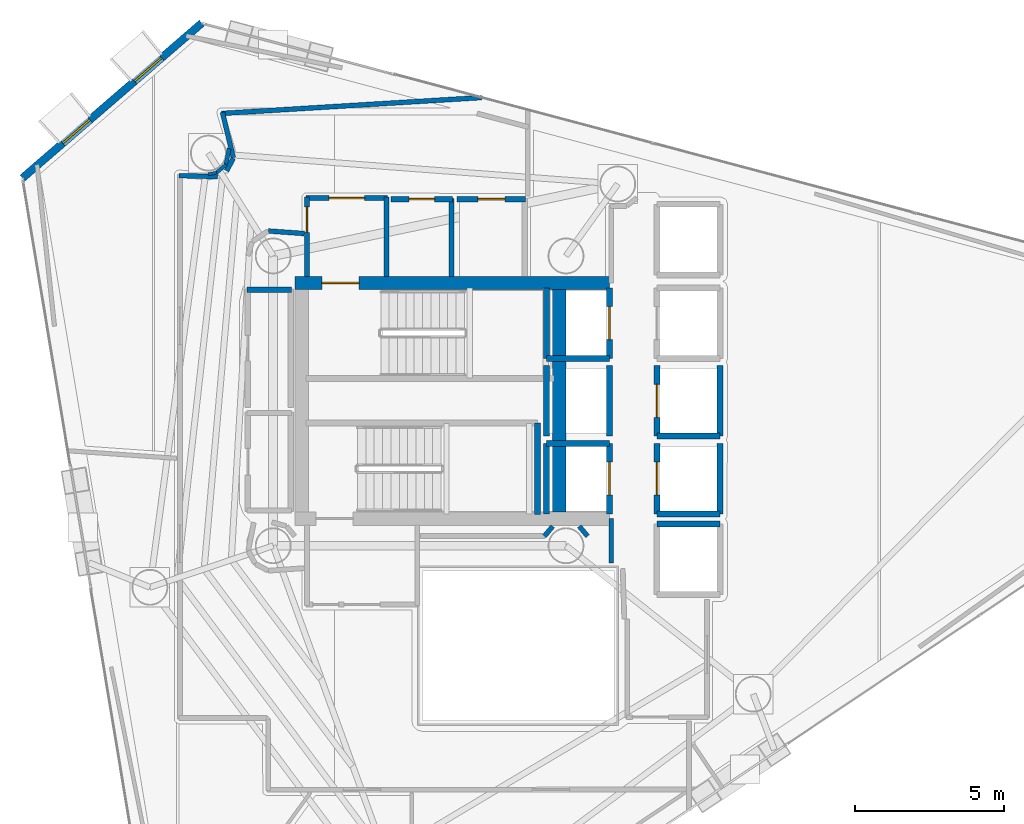
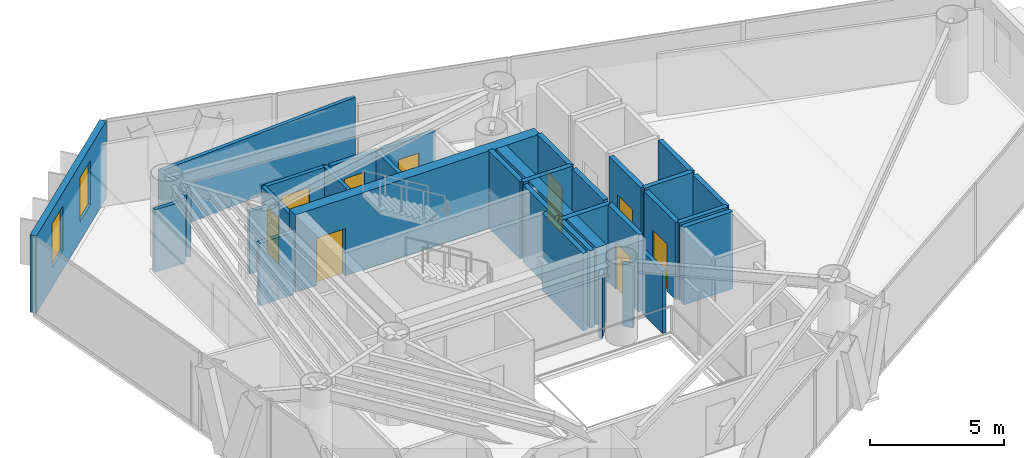
# One storey, part 17 of 21: 37 walls, 9 doors, 2 windows, 11 openings.
"""IFC4 building model written with IfcOpenShell, lengths in metres."""

from ifc_helpers import new_model, si_unit, direction, frame, frame_2d, origin, place, context, subcontext, project, spatial, rectangle, extrude, material, layer, layer_set, type_object, element, fill, save


model = new_model("IFC4")

# Units and contexts
model_context = context("Model", 3, precision=1e-05, world=origin(), true_north=direction((0.0, 1.0)))
body_context = subcontext(model_context, "Body", "Model", "MODEL_VIEW")
ifc_project = project(units=[si_unit("LENGTHUNIT", "METRE"), si_unit("AREAUNIT", "SQUARE_METRE"), si_unit("VOLUMEUNIT", "CUBIC_METRE"), si_unit("PLANEANGLEUNIT", "RADIAN"), si_unit("MASSUNIT", "GRAM", prefix="KILO")], contexts=[model_context])

# Site, building, storey
site_placement = place(None, origin())
site = spatial("IfcSite", under=ifc_project, at=site_placement, CompositionType="ELEMENT")
building_placement = place(site_placement, origin())
building = spatial("IfcBuilding", under=site, at=building_placement, Name="Qianvela Tower", CompositionType="ELEMENT")
storey_placement = place(building_placement, frame((0.0, 0.0, 189.199951171875)))
storey = spatial("IfcBuildingStorey", under=building, at=storey_placement, Name="L48", CompositionType="ELEMENT", Elevation=189.199951171875)

# Wall, openings, windows
ifc_material_1 = material(Name="Terracotta Cladding on Concrete C40", Category="masonry")
ifc_layer_1 = layer(ifc_material_1, 0.260009765625)
ifc_layer_set_1 = layer_set([ifc_layer_1], Name="Terracotta Cladding on Concrete C40")
wall_type_1 = type_object("IfcWallType", Name="TERRACOTTA-WALL-260", PredefinedType="SOLIDWALL", material=ifc_layer_set_1)
wall_1_placement = place(storey_placement, frame((26.2099609375, 41.344970703125, 0.0), z_axis=(0.0, 0.0, 1.0), x_axis=(-0.756696991228, -0.653765755808, 0.0)))
wall_1 = element("IfcWall", 1, at=wall_1_placement, inside=storey, type_object=wall_type_1, Name="L48 Terracotta Chamfer Facet Wall 3", PredefinedType="SOLIDWALL", context=body_context, shape_type="SweptSolid", body=[
    extrude(rectangle(XDim=7.92919921875, YDim=0.260009765625, at=frame_2d((3.964599609375, 0.0))), origin(), (0.0, 0.0, 1.0), 3.52001953125),
])
opening_1_placement = place(wall_1_placement, frame((1.77880859375, 0.0, 0.89990234375)))
opening_1 = element("IfcOpeningElement", 2, at=opening_1_placement, cuts=wall_1, Name="Opening W-03", PredefinedType="OPENING", context=body_context, shape_type="SweptSolid", body=[
    extrude(rectangle(XDim=1.199951171875, YDim=2.0, at=frame_2d((0.60009765625, 1.0))), frame((0.0, 0.139892578125, 0.0), z_axis=(0.0, -1.0, 0.0), x_axis=(1.0, 0.0, 0.0)), (0.0, 0.0, 1.0), 0.280029296875),
])
opening_2_placement = place(wall_1_placement, frame((4.950439453125, 0.0, 0.89990234375)))
opening_2 = element("IfcOpeningElement", 3, at=opening_2_placement, cuts=wall_1, Name="Opening W-03", PredefinedType="OPENING", context=body_context, shape_type="SweptSolid", body=[
    extrude(rectangle(XDim=1.199951171875, YDim=2.0, at=frame_2d((0.60009765625, 1.0))), frame((0.0, 0.139892578125, 0.0), z_axis=(0.0, -1.0, 0.0), x_axis=(1.0, 0.0, 0.0)), (0.0, 0.0, 1.0), 0.280029296875),
])
ifc_material_2 = material(Name="Thermally Broken Aluminium and Low-E Glass", Category="aluminium")
window_type = type_object("IfcWindowType", Name="WIN-TC-1200x2000", PartitioningType="SINGLE_PANEL", PredefinedType="WINDOW", material=ifc_material_2)
window_1_placement = place(opening_1_placement, origin())
window_1 = element("IfcWindow", 4, at=window_1_placement, inside=storey, type_object=window_type, Name="L48 Chamfer Facet Window 3.1", OverallHeight=2.0, OverallWidth=1.199951171875, PartitioningType="SINGLE_PANEL", PredefinedType="WINDOW", context=body_context, shape_type="SweptSolid", body=[
    extrude(rectangle(XDim=1.199951171875, YDim=2.0, at=frame_2d((0.60009765625, 1.0))), frame((0.0, 0.030029296875, 0.0), z_axis=(0.0, -1.0, 0.0), x_axis=(1.0, 0.0, 0.0)), (0.0, 0.0, 1.0), 0.06005859375),
])
fill(opening_1, window_1)
window_2_placement = place(opening_2_placement, origin())
window_2 = element("IfcWindow", 5, at=window_2_placement, inside=storey, type_object=window_type, Name="L48 Chamfer Facet Window 3.2", OverallHeight=2.0, OverallWidth=1.199951171875, PartitioningType="SINGLE_PANEL", PredefinedType="WINDOW", context=body_context, shape_type="SweptSolid", body=[
    extrude(rectangle(XDim=1.199951171875, YDim=2.0, at=frame_2d((0.60009765625, 1.0))), frame((0.0, 0.030029296875, 0.0), z_axis=(0.0, -1.0, 0.0), x_axis=(1.0, 0.0, 0.0)), (0.0, 0.0, 1.0), 0.06005859375),
])
fill(opening_2, window_2)

# Wall, opening, door
ifc_material_3 = material(Name="Concrete C50", Category="concrete")
ifc_layer_2 = layer(ifc_material_3, 0.449951171875)
ifc_layer_set_2 = layer_set([ifc_layer_2], Name="Concrete C50")
wall_type_2 = type_object("IfcWallType", Name="WT-CORE-450", PredefinedType="SHEAR", material=ifc_layer_set_2)
wall_2_placement = place(storey_placement, frame((29.330078125, 32.64501953125, 0.0), z_axis=(0.0, 0.0, 1.0), x_axis=(1.0, 0.0, 0.0)))
wall_2 = element("IfcWall", 6, at=wall_2_placement, inside=storey, type_object=wall_type_2, Name="L48 North Core Shear Wall", PredefinedType="SHEAR", context=body_context, shape_type="SweptSolid", body=[
    extrude(rectangle(XDim=10.52001953125, YDim=0.449951171875, at=frame_2d((5.260009765625, 0.0))), origin(), (0.0, 0.0, 1.0), 3.52001953125),
])
opening_3_placement = place(wall_2_placement, frame((0.89501953125, 0.0, 0.0)))
opening_3 = element("IfcOpeningElement", 7, at=opening_3_placement, cuts=wall_2, Name="Opening D-ST1", PredefinedType="OPENING", context=body_context, shape_type="SweptSolid", body=[
    extrude(rectangle(XDim=1.25, YDim=2.14990234375, at=frame_2d((0.625, 1.074951171875))), frame((0.0, 0.23486328125, 0.0), z_axis=(0.0, -1.0, 0.0), x_axis=(1.0, 0.0, 0.0)), (0.0, 0.0, 1.0), 0.469970703125),
])
ifc_material_4 = material(Name="Galvanised Fire Steel Q355B", Category="steel")
door_type_1 = type_object("IfcDoorType", Name="DT-STAIR-FD90", OperationType="NOTDEFINED", PredefinedType="DOOR", material=ifc_material_4)
door_1_placement = place(opening_3_placement, origin())
door_1 = element("IfcDoor", 8, at=door_1_placement, inside=storey, type_object=door_type_1, Name="L48 Stair ST-1 Exit Door", OperationType="SINGLE_SWING_RIGHT", OverallHeight=2.14990234375, OverallWidth=1.25, PredefinedType="DOOR", context=body_context, shape_type="SweptSolid", body=[
    extrude(rectangle(XDim=1.25, YDim=2.14990234375, at=frame_2d((0.625, 1.074951171875))), frame((0.0, 0.02490234375, 0.0), z_axis=(0.0, -1.0, 0.0), x_axis=(1.0, 0.0, 0.0)), (0.0, 0.0, 1.0), 0.050048828125),
])
fill(opening_3, door_1)

# Wall
wall_3_placement = place(storey_placement, frame((38.179931640625, 24.97998046875, 0.0), z_axis=(0.0, 0.0, 1.0), x_axis=(0.0, 1.0, 0.0)))
element("IfcWall", 9, at=wall_3_placement, inside=storey, type_object=wall_type_2, Name="L48 East Spine Core Shear Wall", PredefinedType="SHEAR", context=body_context, shape_type="SweptSolid", body=[
    extrude(rectangle(XDim=7.43994140625, YDim=0.449951171875, at=frame_2d((3.719970703125, 0.0))), origin(), (0.0, 0.0, 1.0), 3.52001953125),
])

# Wall, opening, door
ifc_material_5 = material(Name="Fire-Rated Gypsum and Concrete Block", Category="concrete")
ifc_layer_3 = layer(ifc_material_5, 0.159912109375)
ifc_layer_set_3 = layer_set([ifc_layer_3], Name="Fire-Rated Gypsum and Concrete Block")
wall_type_3 = type_object("IfcWallType", Name="WT-CORR-160", PredefinedType="PARTITIONING", material=ifc_layer_set_3)
wall_4_placement = place(storey_placement, frame((29.73095703125, 32.85791015625, 0.0), z_axis=(0.0, 0.0, 1.0), x_axis=(0.0, 1.0, 0.0)))
wall_4 = element("IfcWall", 10, at=wall_4_placement, inside=storey, type_object=wall_type_3, Name="L48 Partition 2", PredefinedType="PARTITIONING", context=body_context, shape_type="SweptSolid", body=[
    extrude(rectangle(XDim=2.662109375, YDim=0.159912109375, at=frame_2d((1.3310546875, 0.0))), origin(), (0.0, 0.0, 1.0), 2.840087890625),
])
opening_4_placement = place(wall_4_placement, frame((1.478271484375, 0.0, 0.0)))
opening_4 = element("IfcOpeningElement", 11, at=opening_4_placement, cuts=wall_4, Name="Opening D-LB2", PredefinedType="OPENING", context=body_context, shape_type="SweptSolid", body=[
    extrude(rectangle(XDim=0.860107421875, YDim=2.050048828125, at=frame_2d((0.43017578125, 1.02490234375))), frame((0.0, 0.08984375, 0.0), z_axis=(0.0, -1.0, 0.0), x_axis=(1.0, 0.0, 0.0)), (0.0, 0.0, 1.0), 0.179931640625),
])
ifc_material_6 = material(Name="Insulated Steel Fire Door Q355B", Category="steel")
door_type_2 = type_object("IfcDoorType", Name="DT-LOBBY-FD90-860", OperationType="NOTDEFINED", PredefinedType="DOOR", material=ifc_material_6)
door_2_placement = place(opening_4_placement, origin())
door_2 = element("IfcDoor", 12, at=door_2_placement, inside=storey, type_object=door_type_2, Name="L48 Door L48 Firefighting Lobby North to L48 Floor Corridor", OperationType="SINGLE_SWING_RIGHT", OverallHeight=2.050048828125, OverallWidth=0.860107421875, PredefinedType="DOOR", context=body_context, shape_type="SweptSolid", body=[
    extrude(rectangle(XDim=0.860107421875, YDim=2.050048828125, at=frame_2d((0.43017578125, 1.02490234375))), frame((0.0, 0.02490234375, 0.0), z_axis=(0.0, -1.0, 0.0), x_axis=(1.0, 0.0, 0.0)), (0.0, 0.0, 1.0), 0.050048828125),
])
fill(opening_4, door_2)

wall_5_placement = place(storey_placement, frame((29.699951171875, 35.489013671875, 0.0), z_axis=(0.0, 0.0, 1.0), x_axis=(1.0, 0.0, 0.0)))
wall_5 = element("IfcWall", 13, at=wall_5_placement, inside=storey, type_object=wall_type_3, Name="L48 Partition 3", PredefinedType="PARTITIONING", context=body_context, shape_type="SweptSolid", body=[
    extrude(rectangle(XDim=2.719970703125, YDim=0.159912109375, at=frame_2d((1.35986328125, 0.0))), origin(), (0.0, 0.0, 1.0), 2.840087890625),
])
opening_5_placement = place(wall_5_placement, frame((0.760009765625, 0.0, 0.0)))
opening_5 = element("IfcOpeningElement", 14, at=opening_5_placement, cuts=wall_5, Name="Opening D-LB1", PredefinedType="OPENING", context=body_context, shape_type="SweptSolid", body=[
    extrude(rectangle(XDim=1.199951171875, YDim=2.14990234375, at=frame_2d((0.60009765625, 1.074951171875))), frame((0.0, 0.08984375, 0.0), z_axis=(0.0, -1.0, 0.0), x_axis=(1.0, 0.0, 0.0)), (0.0, 0.0, 1.0), 0.179931640625),
])
ifc_material_7 = material(Name="Glazed Fire-Rated Steel Frame", Category="steel")
door_type_3 = type_object("IfcDoorType", Name="DT-LOBBY-FD90", OperationType="NOTDEFINED", PredefinedType="DOOR", material=ifc_material_7)
door_3_placement = place(opening_5_placement, origin())
door_3 = element("IfcDoor", 15, at=door_3_placement, inside=storey, type_object=door_type_3, Name="L48 Door L48 Firefighting Lobby North to L48 Floor Corridor", OperationType="SINGLE_SWING_RIGHT", OverallHeight=2.14990234375, OverallWidth=1.199951171875, PredefinedType="DOOR", context=body_context, shape_type="SweptSolid", body=[
    extrude(rectangle(XDim=1.199951171875, YDim=2.14990234375, at=frame_2d((0.60009765625, 1.074951171875))), frame((0.0, 0.02490234375, 0.0), z_axis=(0.0, -1.0, 0.0), x_axis=(1.0, 0.0, 0.0)), (0.0, 0.0, 1.0), 0.050048828125),
])
fill(opening_5, door_3)

# Walls
wall_6_placement = place(storey_placement, frame((32.388916015625, 35.52001953125, 0.0), z_axis=(0.0, 0.0, 1.0), x_axis=(0.0, -1.0, 0.0)))
element("IfcWall", 16, at=wall_6_placement, inside=storey, type_object=wall_type_3, Name="L48 Partition 4", PredefinedType="PARTITIONING", context=body_context, shape_type="SweptSolid", body=[
    extrude(rectangle(XDim=2.662109375, YDim=0.159912109375, at=frame_2d((1.3310546875, 0.0))), origin(), (0.0, 0.0, 1.0), 2.840087890625),
])
wall_7_placement = place(storey_placement, frame((39.910888671875, 23.280029296875, 0.0), z_axis=(0.0, 0.0, 1.0), x_axis=(0.0, 1.0, 0.0)))
element("IfcWall", 17, at=wall_7_placement, inside=storey, type_object=wall_type_3, Name="L48 Partition 10", PredefinedType="PARTITIONING", context=body_context, shape_type="SweptSolid", body=[
    extrude(rectangle(XDim=1.47998046875, YDim=0.159912109375, at=frame_2d((0.739990234375, 0.0))), origin(), (0.0, 0.0, 1.0), 2.840087890625),
])
for number, where, z_axis, x_axis, name in (
    (18, (39.12109375, 24.169921875, 0.0), (0.0, 0.0, 1.0), (-0.638008265708, 0.770029514296, 0.0), "L48 Partition 49"),
    (19, (37.953857421875, 24.501708984375, 0.0), (0.0, 0.0, 1.0), (-0.638008265708, -0.770029514296, 0.0), "L48 Partition 52"),
):
    element("IfcWall", number, at=place(storey_placement, frame(where, z_axis=z_axis, x_axis=x_axis)), inside=storey, type_object=wall_type_3, Name=name, PredefinedType="PARTITIONING", context=body_context, shape_type="SweptSolid", body=[
        extrude(rectangle(XDim=0.430908203125, YDim=0.159912109375, at=frame_2d((0.21533203125, 0.0))), origin(), (0.0, 0.0, 1.0), 2.840087890625),
    ])
wall_8_placement = place(storey_placement, frame((27.265380859375, 36.839111328125, 0.0), z_axis=(0.0, 0.0, 1.0), x_axis=(-0.232734022169, 0.972540423286, 0.0)))
element("IfcWall", 20, at=wall_8_placement, inside=storey, type_object=wall_type_3, Name="L48 Partition 54", PredefinedType="PARTITIONING", context=body_context, shape_type="SweptSolid", body=[
    extrude(rectangle(XDim=1.56103515625, YDim=0.159912109375, at=frame_2d((0.780517578125, 0.0))), origin(), (0.0, 0.0, 1.0), 2.840087890625),
])
wall_9_placement = place(storey_placement, frame((26.871826171875, 38.319091796875, 0.0), z_axis=(0.0, 0.0, 1.0), x_axis=(0.99814279394, 0.060917673182, 0.0)))
element("IfcWall", 21, at=wall_9_placement, inside=storey, type_object=wall_type_3, Name="L48 Partition 55", PredefinedType="PARTITIONING", context=body_context, shape_type="SweptSolid", body=[
    extrude(rectangle(XDim=8.720703125, YDim=0.159912109375, at=frame_2d((4.3603515625, 0.0))), origin(), (0.0, 0.0, 1.0), 2.840087890625),
])
wall_10_placement = place(storey_placement, frame((29.64013671875, 34.298583984375, 0.0), z_axis=(0.0, 0.0, 1.0), x_axis=(-0.997392224386, 0.072171675429, 0.0)))
element("IfcWall", 22, at=wall_10_placement, inside=storey, type_object=wall_type_3, Name="L48 Partition 60", PredefinedType="PARTITIONING", context=body_context, shape_type="SweptSolid", body=[
    extrude(rectangle(XDim=1.200927734375, YDim=0.159912109375, at=frame_2d((0.6005859375, 0.0))), origin(), (0.0, 0.0, 1.0), 2.840087890625),
])
wall_11_placement = place(storey_placement, frame((25.44921875, 36.237548828125, 0.0), z_axis=(0.0, 0.0, 1.0), x_axis=(0.999651698073, -0.026390955635, 0.0)))
element("IfcWall", 23, at=wall_11_placement, inside=storey, type_object=wall_type_3, Name="L48 Partition 78", PredefinedType="PARTITIONING", context=body_context, shape_type="SweptSolid", body=[
    extrude(rectangle(XDim=1.295166015625, YDim=0.159912109375, at=frame_2d((0.6474609375, 0.0))), origin(), (0.0, 0.0, 1.0), 2.840087890625),
])
wall_12_placement = place(storey_placement, frame((27.0380859375, 36.397705078125, 0.0), z_axis=(0.0, 0.0, 1.0), x_axis=(0.471865548338, 0.881670519123, 0.0)))
element("IfcWall", 24, at=wall_12_placement, inside=storey, type_object=wall_type_3, Name="L48 Partition 79", PredefinedType="PARTITIONING", context=body_context, shape_type="SweptSolid", body=[
    extrude(rectangle(XDim=0.47607421875, YDim=0.159912109375, at=frame_2d((0.238037109375, 0.0))), origin(), (0.0, 0.0, 1.0), 2.840087890625),
])
ifc_material_8 = material(Name="Lightweight Gypsum Room Partition")
ifc_layer_4 = layer(ifc_material_8, 0.10498046875)
ifc_layer_set_4 = layer_set([ifc_layer_4], Name="Lightweight Gypsum Room Partition")
wall_type_4 = type_object("IfcWallType", Name="WT-PART-105", PredefinedType="PARTITIONING", material=ifc_layer_set_4)
wall_13_placement = place(storey_placement, frame((26.70751953125, 36.340087890625, 0.0), z_axis=(0.0, 0.0, 1.0), x_axis=(-0.980868818587, -0.194669876261, 0.0)))
element("IfcWall", 25, at=wall_13_placement, inside=storey, type_object=wall_type_4, Name="L48 Partition 127", PredefinedType="PARTITIONING", context=body_context, shape_type="SweptSolid", body=[
    extrude(rectangle(XDim=0.292236328125, YDim=0.10498046875, at=frame_2d((0.14599609375, 0.0))), origin(), (0.0, 0.0, 1.0), 2.840087890625),
])
ifc_material_9 = material(Name="Insulated Gypsum Stud Partition")
ifc_layer_5 = layer(ifc_material_9, 0.1201171875)
ifc_layer_set_5 = layer_set([ifc_layer_5], Name="Insulated Gypsum Stud Partition")
wall_type_5 = type_object("IfcWallType", Name="WT-PART-120", PredefinedType="PARTITIONING", material=ifc_layer_set_5)
wall_14_placement = place(storey_placement, frame((27.02392578125, 36.60205078125, 0.0), z_axis=(0.0, 0.0, 1.0), x_axis=(-0.775745027902, -0.631046473475, 0.0)))
element("IfcWall", 26, at=wall_14_placement, inside=storey, type_object=wall_type_5, Name="L48 Partition 126", PredefinedType="PARTITIONING", context=body_context, shape_type="SweptSolid", body=[
    extrude(rectangle(XDim=0.42529296875, YDim=0.1201171875, at=frame_2d((0.212646484375, 0.0))), origin(), (0.0, 0.0, 1.0), 2.840087890625),
])

# Wall, opening, door
ifc_material_10 = material(Name="Moisture-Resistant Acoustic Plumbing Wall")
ifc_layer_6 = layer(ifc_material_10, 0.175048828125)
ifc_layer_set_6 = layer_set([ifc_layer_6], Name="Moisture-Resistant Acoustic Plumbing Wall")
wall_type_6 = type_object("IfcWallType", Name="WT-PLUMB-175", PredefinedType="PLUMBINGWALL", material=ifc_layer_set_6)
wall_15_placement = place(storey_placement, frame((32.550048828125, 35.448974609375, 0.0), z_axis=(0.0, 0.0, 1.0), x_axis=(1.0, 0.0, 0.0)))
wall_15 = element("IfcWall", 27, at=wall_15_placement, inside=storey, type_object=wall_type_6, Name="L48 Partition 22", PredefinedType="PLUMBINGWALL", context=body_context, shape_type="SweptSolid", body=[
    extrude(rectangle(XDim=2.050048828125, YDim=0.175048828125, at=frame_2d((1.02490234375, 0.0))), origin(), (0.0, 0.0, 1.0), 2.840087890625),
])
opening_6_placement = place(wall_15_placement, frame((0.594970703125, 0.0, 0.0)))
opening_6 = element("IfcOpeningElement", 28, at=opening_6_placement, cuts=wall_15, Name="Opening D-WC1", PredefinedType="OPENING", context=body_context, shape_type="SweptSolid", body=[
    extrude(rectangle(XDim=0.860107421875, YDim=2.050048828125, at=frame_2d((0.43017578125, 1.02490234375))), frame((0.0, 0.097412109375, 0.0), z_axis=(0.0, -1.0, 0.0), x_axis=(1.0, 0.0, 0.0)), (0.0, 0.0, 1.0), 0.195068359375),
])
ifc_material_11 = material(Name="Moisture-Sealed Acoustic Timber Door", Category="wood")
door_type_4 = type_object("IfcDoorType", Name="DT-WC-860", OperationType="NOTDEFINED", PredefinedType="DOOR", material=ifc_material_11)
door_4_placement = place(opening_6_placement, origin())
door_4 = element("IfcDoor", 29, at=door_4_placement, inside=storey, type_object=door_type_4, Name="L48 Door L48 Accessible WC to L48 Floor Corridor", OperationType="SINGLE_SWING_LEFT", OverallHeight=2.050048828125, OverallWidth=0.860107421875, PredefinedType="DOOR", context=body_context, shape_type="SweptSolid", body=[
    extrude(rectangle(XDim=0.860107421875, YDim=2.050048828125, at=frame_2d((0.43017578125, 1.02490234375))), frame((0.0, 0.02490234375, 0.0), z_axis=(0.0, -1.0, 0.0), x_axis=(1.0, 0.0, 0.0)), (0.0, 0.0, 1.0), 0.050048828125),
])
fill(opening_6, door_4)

# Wall
wall_16_placement = place(storey_placement, frame((34.569091796875, 35.47998046875, 0.0), z_axis=(0.0, 0.0, 1.0), x_axis=(0.0, -1.0, 0.0)))
element("IfcWall", 30, at=wall_16_placement, inside=storey, type_object=wall_type_6, Name="L48 Partition 23", PredefinedType="PLUMBINGWALL", context=body_context, shape_type="SweptSolid", body=[
    extrude(rectangle(XDim=2.6220703125, YDim=0.175048828125, at=frame_2d((1.31103515625, 0.0))), origin(), (0.0, 0.0, 1.0), 2.840087890625),
])

# Wall, opening, door
wall_17_placement = place(storey_placement, frame((34.75, 35.448974609375, 0.0), z_axis=(0.0, 0.0, 1.0), x_axis=(1.0, 0.0, 0.0)))
wall_17 = element("IfcWall", 31, at=wall_17_placement, inside=storey, type_object=wall_type_6, Name="L48 Partition 26", PredefinedType="PLUMBINGWALL", context=body_context, shape_type="SweptSolid", body=[
    extrude(rectangle(XDim=2.300048828125, YDim=0.175048828125, at=frame_2d((1.14990234375, 0.0))), origin(), (0.0, 0.0, 1.0), 2.840087890625),
])
opening_7_placement = place(wall_17_placement, frame((0.699951171875, 0.0, 0.0)))
opening_7 = element("IfcOpeningElement", 32, at=opening_7_placement, cuts=wall_17, Name="Opening D-KT1", PredefinedType="OPENING", context=body_context, shape_type="SweptSolid", body=[
    extrude(rectangle(XDim=0.89990234375, YDim=2.10009765625, at=frame_2d((0.449951171875, 1.050048828125))), frame((0.0, 0.097412109375, 0.0), z_axis=(0.0, -1.0, 0.0), x_axis=(1.0, 0.0, 0.0)), (0.0, 0.0, 1.0), 0.195068359375),
])
ifc_material_12 = material(Name="Glazed Timber Kitchen Door", Category="wood")
door_type_5 = type_object("IfcDoorType", Name="DT-KITCH-900", OperationType="NOTDEFINED", PredefinedType="DOOR", material=ifc_material_12)
door_5_placement = place(opening_7_placement, origin())
door_5 = element("IfcDoor", 33, at=door_5_placement, inside=storey, type_object=door_type_5, Name="L48 Door L48 Core Tea Pantry to L48 Floor Corridor", OperationType="SINGLE_SWING_RIGHT", OverallHeight=2.10009765625, OverallWidth=0.89990234375, PredefinedType="DOOR", context=body_context, shape_type="SweptSolid", body=[
    extrude(rectangle(XDim=0.89990234375, YDim=2.10009765625, at=frame_2d((0.449951171875, 1.050048828125))), frame((0.0, 0.02490234375, 0.0), z_axis=(0.0, -1.0, 0.0), x_axis=(1.0, 0.0, 0.0)), (0.0, 0.0, 1.0), 0.050048828125),
])
fill(opening_7, door_5)

# Walls
wall_18_placement = place(storey_placement, frame((27.719970703125, 32.4189453125, 0.0), z_axis=(0.0, 0.0, 1.0), x_axis=(1.0, 0.0, 0.0)))
element("IfcWall", 34, at=wall_18_placement, inside=storey, type_object=wall_type_6, Name="L48 Partition 33", PredefinedType="PLUMBINGWALL", context=body_context, shape_type="SweptSolid", body=[
    extrude(rectangle(XDim=1.5, YDim=0.175048828125, at=frame_2d((0.75, 0.0))), origin(), (0.0, 0.0, 1.0), 2.840087890625),
])
ifc_material_13 = material(Name="Acoustic Double Gypsum Stud Partition")
ifc_layer_7 = layer(ifc_material_13, 0.139892578125)
ifc_layer_set_7 = layer_set([ifc_layer_7], Name="Acoustic Double Gypsum Stud Partition")
wall_type_7 = type_object("IfcWallType", Name="WT-ROOM-140", PredefinedType="PARTITIONING", material=ifc_layer_set_7)
wall_19_placement = place(storey_placement, frame((27.124755859375, 37.146240234375, 0.0), z_axis=(0.0, 0.0, 1.0), x_axis=(-0.195051328877, -0.980793035815, 0.0)))
element("IfcWall", 35, at=wall_19_placement, inside=storey, type_object=wall_type_7, Name="L48 Partition 125", PredefinedType="PARTITIONING", context=body_context, shape_type="SweptSolid", body=[
    extrude(rectangle(XDim=0.5732421875, YDim=0.139892578125, at=frame_2d((0.28662109375, 0.0))), origin(), (0.0, 0.0, 1.0), 2.840087890625),
])
ifc_material_14 = material(Name="Concrete C50", Category="concrete")
ifc_layer_8 = layer(ifc_material_14, 0.199951171875)
ifc_layer_set_8 = layer_set([ifc_layer_8], Name="Concrete C50")
wall_type_8 = type_object("IfcWallType", Name="WT-SHAFT-200", PredefinedType="SOLIDWALL", material=ifc_layer_set_8)
wall_20_placement = place(storey_placement, frame((37.449951171875, 24.89990234375, 0.0), z_axis=(0.0, 0.0, 1.0), x_axis=(0.0, 1.0, 0.0)))
element("IfcWall", 36, at=wall_20_placement, inside=storey, type_object=wall_type_8, Name="L48 Stair ST-2 East Wall", PredefinedType="SOLIDWALL", context=body_context, shape_type="SweptSolid", body=[
    extrude(rectangle(XDim=3.06005859375, YDim=0.199951171875, at=frame_2d((1.530029296875, 0.0))), origin(), (0.0, 0.0, 1.0), 3.52001953125),
])

# Wall, opening, door
wall_21_placement = place(storey_placement, frame((39.85009765625, 30.1201171875, 0.0), z_axis=(0.0, 0.0, 1.0), x_axis=(0.0, 1.0, 0.0)))
wall_21 = element("IfcWall", 37, at=wall_21_placement, inside=storey, type_object=wall_type_8, Name="L48 Lift FL-1 E Shaft Wall", PredefinedType="SOLIDWALL", context=body_context, shape_type="SweptSolid", body=[
    extrude(rectangle(XDim=2.35986328125, YDim=0.199951171875, at=frame_2d((1.179931640625, 0.0))), origin(), (0.0, 0.0, 1.0), 3.52001953125),
])
opening_8_placement = place(wall_21_placement, frame((0.6298828125, 0.0, 0.0)))
opening_8 = element("IfcOpeningElement", 38, at=opening_8_placement, cuts=wall_21, Name="Opening LD-01", PredefinedType="OPENING", context=body_context, shape_type="SweptSolid", body=[
    extrude(rectangle(XDim=1.10009765625, YDim=2.14990234375, at=frame_2d((0.550048828125, 1.074951171875))), frame((0.0, 0.10986328125, 0.0), z_axis=(0.0, -1.0, 0.0), x_axis=(1.0, 0.0, 0.0)), (0.0, 0.0, 1.0), 0.219970703125),
])
ifc_material_15 = material(Name="Brushed Stainless Steel Lift Landing Door", Category="steel")
door_type_6 = type_object("IfcDoorType", Name="DT-LIFT-SLIDE-1100", OperationType="SLIDING_TO_LEFT", PredefinedType="DOOR", material=ifc_material_15)
door_6_placement = place(opening_8_placement, origin())
door_6 = element("IfcDoor", 39, at=door_6_placement, inside=storey, type_object=door_type_6, Name="L48 Lift FL-1 Sliding Landing Door", OperationType="SLIDING_TO_LEFT", OverallHeight=2.14990234375, OverallWidth=1.10009765625, PredefinedType="DOOR", context=body_context, shape_type="SweptSolid", body=[
    extrude(rectangle(XDim=1.10009765625, YDim=2.14990234375, at=frame_2d((0.550048828125, 1.074951171875))), frame((0.0, 0.02490234375, 0.0), z_axis=(0.0, -1.0, 0.0), x_axis=(1.0, 0.0, 0.0)), (0.0, 0.0, 1.0), 0.050048828125),
])
fill(opening_8, door_6)

# Walls
wall_22_placement = place(storey_placement, frame((37.75, 30.1201171875, 0.0), z_axis=(0.0, 0.0, 1.0), x_axis=(0.0, 1.0, 0.0)))
element("IfcWall", 40, at=wall_22_placement, inside=storey, type_object=wall_type_8, Name="L48 Lift FL-1 W Shaft Wall", PredefinedType="SOLIDWALL", context=body_context, shape_type="SweptSolid", body=[
    extrude(rectangle(XDim=2.35986328125, YDim=0.199951171875, at=frame_2d((1.179931640625, 0.0))), origin(), (0.0, 0.0, 1.0), 3.52001953125),
])
wall_23_placement = place(storey_placement, frame((37.75, 30.1201171875, 0.0), z_axis=(0.0, 0.0, 1.0), x_axis=(1.0, 0.0, 0.0)))
element("IfcWall", 41, at=wall_23_placement, inside=storey, type_object=wall_type_8, Name="L48 Lift FL-1 S Shaft Wall", PredefinedType="SOLIDWALL", context=body_context, shape_type="SweptSolid", body=[
    extrude(rectangle(XDim=2.10009765625, YDim=0.199951171875, at=frame_2d((1.050048828125, 0.0))), origin(), (0.0, 0.0, 1.0), 3.52001953125),
])

# Wall, opening, door
wall_24_placement = place(storey_placement, frame((39.85009765625, 24.919921875, 0.0), z_axis=(0.0, 0.0, 1.0), x_axis=(0.0, 1.0, 0.0)))
wall_24 = element("IfcWall", 42, at=wall_24_placement, inside=storey, type_object=wall_type_8, Name="L48 Lift FL-2 E Shaft Wall", PredefinedType="SOLIDWALL", context=body_context, shape_type="SweptSolid", body=[
    extrude(rectangle(XDim=2.360107421875, YDim=0.199951171875, at=frame_2d((1.18017578125, 0.0))), origin(), (0.0, 0.0, 1.0), 3.52001953125),
])
opening_9_placement = place(wall_24_placement, frame((0.6298828125, 0.0, 0.0)))
opening_9 = element("IfcOpeningElement", 43, at=opening_9_placement, cuts=wall_24, Name="Opening LD-01", PredefinedType="OPENING", context=body_context, shape_type="SweptSolid", body=[
    extrude(rectangle(XDim=1.10009765625, YDim=2.14990234375, at=frame_2d((0.550048828125, 1.074951171875))), frame((0.0, 0.10986328125, 0.0), z_axis=(0.0, -1.0, 0.0), x_axis=(1.0, 0.0, 0.0)), (0.0, 0.0, 1.0), 0.219970703125),
])
door_7_placement = place(opening_9_placement, origin())
door_7 = element("IfcDoor", 44, at=door_7_placement, inside=storey, type_object=door_type_6, Name="L48 Lift FL-2 Sliding Landing Door", OperationType="SLIDING_TO_LEFT", OverallHeight=2.14990234375, OverallWidth=1.10009765625, PredefinedType="DOOR", context=body_context, shape_type="SweptSolid", body=[
    extrude(rectangle(XDim=1.10009765625, YDim=2.14990234375, at=frame_2d((0.550048828125, 1.074951171875))), frame((0.0, 0.02490234375, 0.0), z_axis=(0.0, -1.0, 0.0), x_axis=(1.0, 0.0, 0.0)), (0.0, 0.0, 1.0), 0.050048828125),
])
fill(opening_9, door_7)

# Walls
wall_25_placement = place(storey_placement, frame((37.75, 24.919921875, 0.0), z_axis=(0.0, 0.0, 1.0), x_axis=(0.0, 1.0, 0.0)))
element("IfcWall", 45, at=wall_25_placement, inside=storey, type_object=wall_type_8, Name="L48 Lift FL-2 W Shaft Wall", PredefinedType="SOLIDWALL", context=body_context, shape_type="SweptSolid", body=[
    extrude(rectangle(XDim=2.360107421875, YDim=0.199951171875, at=frame_2d((1.18017578125, 0.0))), origin(), (0.0, 0.0, 1.0), 3.52001953125),
])
wall_26_placement = place(storey_placement, frame((37.75, 27.280029296875, 0.0), z_axis=(0.0, 0.0, 1.0), x_axis=(1.0, 0.0, 0.0)))
element("IfcWall", 46, at=wall_26_placement, inside=storey, type_object=wall_type_8, Name="L48 Lift FL-2 N Shaft Wall", PredefinedType="SOLIDWALL", context=body_context, shape_type="SweptSolid", body=[
    extrude(rectangle(XDim=2.10009765625, YDim=0.199951171875, at=frame_2d((1.050048828125, 0.0))), origin(), (0.0, 0.0, 1.0), 3.52001953125),
])
wall_27_placement = place(storey_placement, frame((43.550048828125, 27.52001953125, 0.0), z_axis=(0.0, 0.0, 1.0), x_axis=(0.0, 1.0, 0.0)))
element("IfcWall", 47, at=wall_27_placement, inside=storey, type_object=wall_type_8, Name="L48 Lift PL-M2 E Shaft Wall", PredefinedType="SOLIDWALL", context=body_context, shape_type="SweptSolid", body=[
    extrude(rectangle(XDim=2.35986328125, YDim=0.199951171875, at=frame_2d((1.179931640625, 0.0))), origin(), (0.0, 0.0, 1.0), 3.52001953125),
])

# Wall, opening, door
wall_28_placement = place(storey_placement, frame((41.449951171875, 27.52001953125, 0.0), z_axis=(0.0, 0.0, 1.0), x_axis=(0.0, 1.0, 0.0)))
wall_28 = element("IfcWall", 48, at=wall_28_placement, inside=storey, type_object=wall_type_8, Name="L48 Lift PL-M2 W Shaft Wall", PredefinedType="SOLIDWALL", context=body_context, shape_type="SweptSolid", body=[
    extrude(rectangle(XDim=2.35986328125, YDim=0.199951171875, at=frame_2d((1.179931640625, 0.0))), origin(), (0.0, 0.0, 1.0), 3.52001953125),
])
opening_10_placement = place(wall_28_placement, frame((0.6298828125, 0.0, 0.0)))
opening_10 = element("IfcOpeningElement", 49, at=opening_10_placement, cuts=wall_28, Name="Opening LD-01", PredefinedType="OPENING", context=body_context, shape_type="SweptSolid", body=[
    extrude(rectangle(XDim=1.10009765625, YDim=2.14990234375, at=frame_2d((0.550048828125, 1.074951171875))), frame((0.0, 0.10986328125, 0.0), z_axis=(0.0, -1.0, 0.0), x_axis=(1.0, 0.0, 0.0)), (0.0, 0.0, 1.0), 0.219970703125),
])
door_8_placement = place(opening_10_placement, origin())
door_8 = element("IfcDoor", 50, at=door_8_placement, inside=storey, type_object=door_type_6, Name="L48 Lift PL-M2 Sliding Landing Door", OperationType="SLIDING_TO_LEFT", OverallHeight=2.14990234375, OverallWidth=1.10009765625, PredefinedType="DOOR", context=body_context, shape_type="SweptSolid", body=[
    extrude(rectangle(XDim=1.10009765625, YDim=2.14990234375, at=frame_2d((0.550048828125, 1.074951171875))), frame((0.0, 0.02490234375, 0.0), z_axis=(0.0, -1.0, 0.0), x_axis=(1.0, 0.0, 0.0)), (0.0, 0.0, 1.0), 0.050048828125),
])
fill(opening_10, door_8)

# Walls
wall_29_placement = place(storey_placement, frame((41.449951171875, 27.52001953125, 0.0), z_axis=(0.0, 0.0, 1.0), x_axis=(1.0, 0.0, 0.0)))
element("IfcWall", 51, at=wall_29_placement, inside=storey, type_object=wall_type_8, Name="L48 Lift PL-M2 S Shaft Wall", PredefinedType="SOLIDWALL", context=body_context, shape_type="SweptSolid", body=[
    extrude(rectangle(XDim=2.10009765625, YDim=0.199951171875, at=frame_2d((1.050048828125, 0.0))), origin(), (0.0, 0.0, 1.0), 3.52001953125),
])
wall_30_placement = place(storey_placement, frame((43.550048828125, 24.919921875, 0.0), z_axis=(0.0, 0.0, 1.0), x_axis=(0.0, 1.0, 0.0)))
element("IfcWall", 52, at=wall_30_placement, inside=storey, type_object=wall_type_8, Name="L48 Lift PL-M3 E Shaft Wall", PredefinedType="SOLIDWALL", context=body_context, shape_type="SweptSolid", body=[
    extrude(rectangle(XDim=2.360107421875, YDim=0.199951171875, at=frame_2d((1.18017578125, 0.0))), origin(), (0.0, 0.0, 1.0), 3.52001953125),
])

# Wall, opening, door
wall_31_placement = place(storey_placement, frame((41.449951171875, 24.919921875, 0.0), z_axis=(0.0, 0.0, 1.0), x_axis=(0.0, 1.0, 0.0)))
wall_31 = element("IfcWall", 53, at=wall_31_placement, inside=storey, type_object=wall_type_8, Name="L48 Lift PL-M3 W Shaft Wall", PredefinedType="SOLIDWALL", context=body_context, shape_type="SweptSolid", body=[
    extrude(rectangle(XDim=2.360107421875, YDim=0.199951171875, at=frame_2d((1.18017578125, 0.0))), origin(), (0.0, 0.0, 1.0), 3.52001953125),
])
opening_11_placement = place(wall_31_placement, frame((0.6298828125, 0.0, 0.0)))
opening_11 = element("IfcOpeningElement", 54, at=opening_11_placement, cuts=wall_31, Name="Opening LD-01", PredefinedType="OPENING", context=body_context, shape_type="SweptSolid", body=[
    extrude(rectangle(XDim=1.10009765625, YDim=2.14990234375, at=frame_2d((0.550048828125, 1.074951171875))), frame((0.0, 0.10986328125, 0.0), z_axis=(0.0, -1.0, 0.0), x_axis=(1.0, 0.0, 0.0)), (0.0, 0.0, 1.0), 0.219970703125),
])
door_9_placement = place(opening_11_placement, origin())
door_9 = element("IfcDoor", 55, at=door_9_placement, inside=storey, type_object=door_type_6, Name="L48 Lift PL-M3 Sliding Landing Door", OperationType="SLIDING_TO_LEFT", OverallHeight=2.14990234375, OverallWidth=1.10009765625, PredefinedType="DOOR", context=body_context, shape_type="SweptSolid", body=[
    extrude(rectangle(XDim=1.10009765625, YDim=2.14990234375, at=frame_2d((0.550048828125, 1.074951171875))), frame((0.0, 0.02490234375, 0.0), z_axis=(0.0, -1.0, 0.0), x_axis=(1.0, 0.0, 0.0)), (0.0, 0.0, 1.0), 0.050048828125),
])
fill(opening_11, door_9)

# Walls
wall_32_placement = place(storey_placement, frame((41.449951171875, 24.919921875, 0.0), z_axis=(0.0, 0.0, 1.0), x_axis=(1.0, 0.0, 0.0)))
element("IfcWall", 56, at=wall_32_placement, inside=storey, type_object=wall_type_8, Name="L48 Lift PL-M3 S Shaft Wall", PredefinedType="SOLIDWALL", context=body_context, shape_type="SweptSolid", body=[
    extrude(rectangle(XDim=2.10009765625, YDim=0.199951171875, at=frame_2d((1.050048828125, 0.0))), origin(), (0.0, 0.0, 1.0), 3.52001953125),
])
for number, where, z_axis, x_axis, name in (
    (57, (39.85009765625, 27.52001953125, 0.0), (0.0, 0.0, 1.0), (0.0, 1.0, 0.0), "L48 Lift PL-H1 E Shaft Wall"),
    (58, (37.75, 27.52001953125, 0.0), (0.0, 0.0, 1.0), (0.0, 1.0, 0.0), "L48 Lift PL-H1 W Shaft Wall"),
):
    element("IfcWall", number, at=place(storey_placement, frame(where, z_axis=z_axis, x_axis=x_axis)), inside=storey, type_object=wall_type_8, Name=name, PredefinedType="SOLIDWALL", context=body_context, shape_type="SweptSolid", body=[
        extrude(rectangle(XDim=2.35986328125, YDim=0.199951171875, at=frame_2d((1.179931640625, 0.0))), origin(), (0.0, 0.0, 1.0), 3.52001953125),
    ])
wall_33_placement = place(storey_placement, frame((41.449951171875, 24.580078125, 0.0), z_axis=(0.0, 0.0, 1.0), x_axis=(1.0, 0.0, 0.0)))
element("IfcWall", 59, at=wall_33_placement, inside=storey, type_object=wall_type_8, Name="L48 Lift PL-H2 N Shaft Wall", PredefinedType="SOLIDWALL", context=body_context, shape_type="SweptSolid", body=[
    extrude(rectangle(XDim=2.10009765625, YDim=0.199951171875, at=frame_2d((1.050048828125, 0.0))), origin(), (0.0, 0.0, 1.0), 3.52001953125),
])

save(model, "model.ifc")
